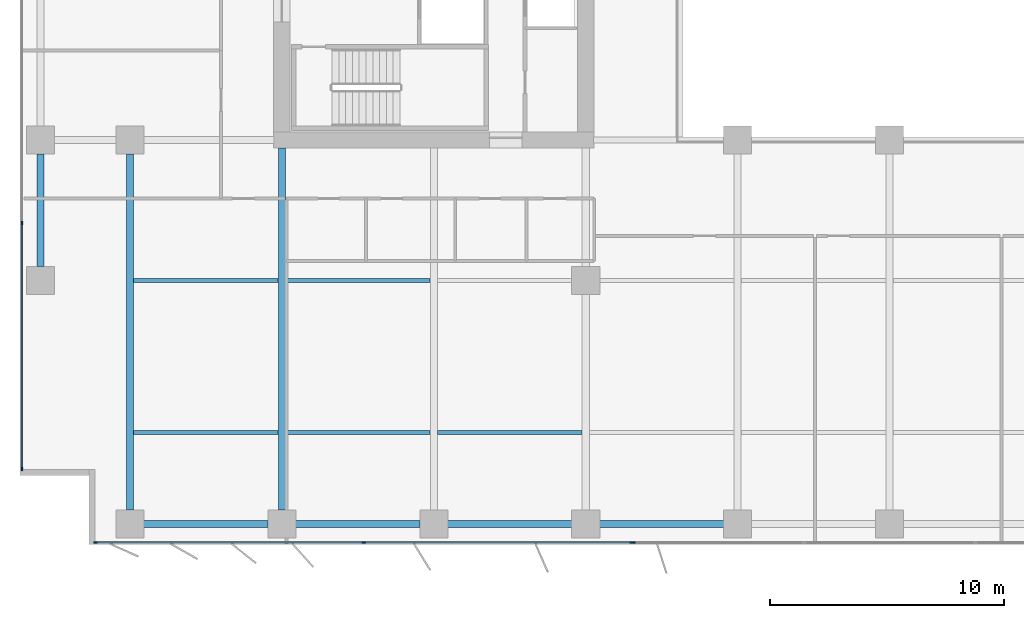
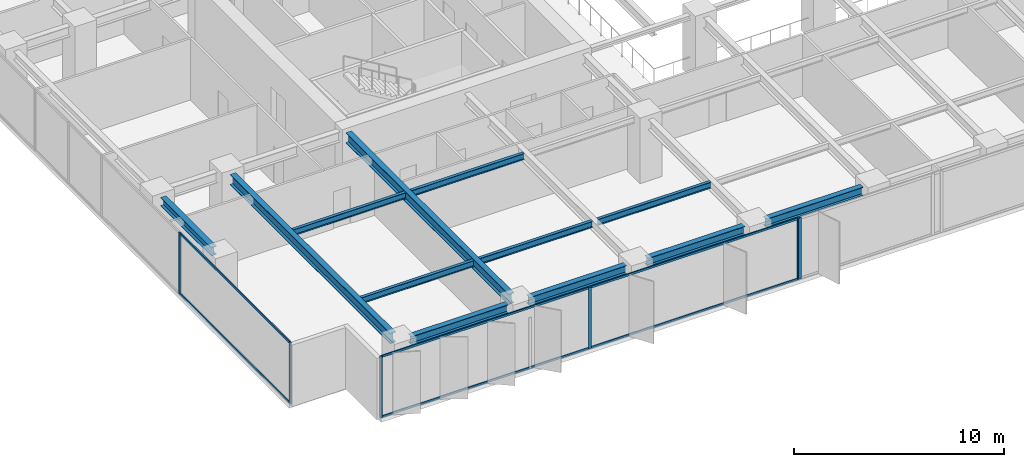
# One storey, part 2 of 20: 12 beams, 12 members, 3 elements without a shape of their own.
"""IFC4 building model written with IfcOpenShell, lengths in metres."""

import ifcopenshell
import ifcopenshell.guid

model = None  # the IFC model being written
_history = None  # IfcOwnerHistory: only IFC2X3 demands one
_inside = {}  # id of a spatial element -> (the spatial element, [elements in it])
_under = {}  # id of a project, library or spatial element -> (it, [spatial elements below it])
_declared = {}  # id of a project -> (the project, [libraries it declares])
_typed = {}  # id of a type object -> (the type object, [elements of that type])
_made_of = {}  # id of a material, layer set ... -> (it, [elements and type objects made of it])


def new_model(schema):
    """Start an empty IFC model of exactly this schema.

    Asked for "IFC4X3", IfcOpenShell would pick the latest addendum, in which some entities
    have other attributes; the version numbers below select the first issue.
    IFC2X3 requires an IfcOwnerHistory on every rooted entity: one is made here for all.
    """
    global model, _history
    if schema == "IFC4X3":
        model = ifcopenshell.file(schema_version=(4, 3, 0, 0))
    else:
        model = ifcopenshell.file(schema=schema)
    _inside.clear()
    _under.clear()
    _declared.clear()
    _typed.clear()
    _made_of.clear()
    _history = None
    if model.schema == "IFC2X3":
        org = make("IfcOrganization", Name="unknown")
        user = make(
            "IfcPersonAndOrganization",
            ThePerson=make("IfcPerson", FamilyName="unknown"),
            TheOrganization=org,
        )
        app = make(
            "IfcApplication",
            ApplicationDeveloper=org,
            Version="unknown",
            ApplicationFullName="unknown",
            ApplicationIdentifier="unknown",
        )
        _history = make(
            "IfcOwnerHistory",
            OwningUser=user,
            OwningApplication=app,
            ChangeAction="ADDED",
            CreationDate=0,
        )
    return model


def make(cls, **values):
    """One entity of the class cls with the attributes given. An attribute that is None is left unset."""
    return model.create_entity(
        cls, **{name: value for name, value in values.items() if value is not None}
    )


def rooted(cls, **values):
    """An entity with a GlobalId (a new one), such as an element, a storey or a relation."""
    return make(cls, GlobalId=ifcopenshell.guid.new(), OwnerHistory=_history, **values)


def si_unit(unit_type, name, prefix=None):
    """IfcSIUnit, for example si_unit("LENGTHUNIT", "METRE", prefix="MILLI")."""
    return make("IfcSIUnit", UnitType=unit_type, Prefix=prefix, Name=name)


def assignment(units):
    """IfcUnitAssignment: the units of a project."""
    return None if units is None else make("IfcUnitAssignment", Units=units)


def point(xyz):
    """IfcCartesianPoint."""
    return None if xyz is None else make("IfcCartesianPoint", Coordinates=xyz)


def direction(xyz):
    """IfcDirection."""
    return None if xyz is None else make("IfcDirection", DirectionRatios=xyz)


def frame(location, z_axis=None, x_axis=None):
    """IfcAxis2Placement3D, a coordinate frame: its origin and axes. An axis left out is left unset."""
    return make(
        "IfcAxis2Placement3D",
        Location=point(location),
        Axis=direction(z_axis),
        RefDirection=direction(x_axis),
    )


def frame_2d(location, x_axis=None):
    """IfcAxis2Placement2D, a coordinate frame in the plane: its origin and x axis."""
    return make(
        "IfcAxis2Placement2D", Location=point(location), RefDirection=direction(x_axis)
    )


def origin():
    """The frame at (0, 0, 0) with its axes left unset."""
    return frame((0.0, 0.0, 0.0))


def origin_2d():
    """The frame at (0, 0) in the plane with its x axis left unset."""
    return frame_2d((0.0, 0.0))


def place(relative_to, where):
    """IfcLocalPlacement: puts the frame where relative to a parent placement (None: the world)."""
    return make(
        "IfcLocalPlacement", PlacementRelTo=relative_to, RelativePlacement=where
    )


def context(
    kind, dimensions, precision=None, world=None, true_north=None, identifier=None
):
    """IfcGeometricRepresentationContext, for example the 3D "Model" context."""
    return make(
        "IfcGeometricRepresentationContext",
        ContextIdentifier=identifier,
        ContextType=kind,
        CoordinateSpaceDimension=dimensions,
        Precision=precision,
        WorldCoordinateSystem=world,
        TrueNorth=true_north,
    )


def subcontext(parent, identifier, kind, view, scale=None):
    """IfcGeometricRepresentationSubContext, for example "Body" below "Model"."""
    return make(
        "IfcGeometricRepresentationSubContext",
        ContextIdentifier=identifier,
        ContextType=kind,
        ParentContext=parent,
        TargetScale=scale,
        TargetView=view,
    )


def project(units=None, contexts=None):
    """IfcProject with its units and contexts."""
    return rooted(
        "IfcProject",
        Name="project",
        RepresentationContexts=contexts,
        UnitsInContext=assignment(units),
    )


def spatial(cls, under=None, at=None, **own):
    """A site, building, storey or space (cls), placed at a placement, below another one or the project."""
    s = rooted(cls, ObjectPlacement=at, **own)
    if under is not None:
        _under.setdefault(under.id(), (under, []))[1].append(s)
    return s


def profile(cls, at=None, kind="AREA", **sizes):
    """A parametric profile (cls). Its sizes go by their IFC names, for example OverallWidth=200.0."""
    return make(cls, ProfileType=kind, Position=at, **sizes)


def rectangle(**sizes):
    """IfcRectangleProfileDef."""
    return profile("IfcRectangleProfileDef", **sizes)


def i_section(**sizes):
    """IfcIShapeProfileDef."""
    return profile("IfcIShapeProfileDef", **sizes)


def extrude(swept, where, along, depth):
    """IfcExtrudedAreaSolid: the profile swept, set in the frame where, extruded along a direction by depth."""
    return make(
        "IfcExtrudedAreaSolid",
        SweptArea=swept,
        Position=where,
        ExtrudedDirection=direction(along),
        Depth=depth,
    )


def shape(context_of_items, identifier, shape_type, items):
    """IfcShapeRepresentation: the items that make up one representation, for example the "Body"."""
    return make(
        "IfcShapeRepresentation",
        ContextOfItems=context_of_items,
        RepresentationIdentifier=identifier,
        RepresentationType=shape_type,
        Items=items,
    )


def material(Name=None, Category=None):
    """IfcMaterial."""
    return make("IfcMaterial", Name=Name, Category=Category)


def layer(
    of_material, thickness, ventilated=None, Name=None, Category=None, Priority=None
):
    """IfcMaterialLayer: one layer of a wall or slab, of a material (None: an air gap)."""
    return make(
        "IfcMaterialLayer",
        Material=of_material,
        LayerThickness=thickness,
        IsVentilated=ventilated,
        Name=Name,
        Category=Category,
        Priority=Priority,
    )


def layer_set(layers, Name=None):
    """IfcMaterialLayerSet."""
    return make("IfcMaterialLayerSet", MaterialLayers=layers, LayerSetName=Name)


def material_profile(
    of_material, cross_section, Name=None, Category=None, Priority=None
):
    """IfcMaterialProfile: a cross section and its material."""
    return make(
        "IfcMaterialProfile",
        Name=Name,
        Material=of_material,
        Profile=cross_section,
        Priority=Priority,
        Category=Category,
    )


def profile_set(profiles, Name=None, composite=None):
    """IfcMaterialProfileSet."""
    return make(
        "IfcMaterialProfileSet",
        Name=Name,
        MaterialProfiles=profiles,
        CompositeProfile=composite,
    )


def made_of(thing, what):
    """Note that an element or type object is made of a material, layer set ...; save() writes the relation."""
    if what is not None:
        _made_of.setdefault(what.id(), (what, []))[1].append(thing)
    return thing


def type_object(cls, material=None, **own):
    """A type object (cls), such as IfcWallType, which elements share."""
    return made_of(rooted(cls, **own), material)


def element(
    cls,
    number,
    at=None,
    inside=None,
    cuts=None,
    type_object=None,
    material=None,
    context=None,
    identifier="Body",
    shape_type=None,
    held_by="IfcProductDefinitionShape",
    body=None,
    shapes=None,
    **own,
):
    """One element of the class cls, such as IfcWall. Its Tag is "e" and its number.

    at: its placement. inside: the storey or other place that contains it. cuts: it is an
    opening in that element (IfcRelVoidsElement). A single representation is given by context,
    identifier, shape_type and body (its items); several are given by shapes. held_by: the class
    of the entity that holds the representations. save() writes the other relations.
    """
    e = rooted(cls, Tag="e%d" % number, ObjectPlacement=at, **own)
    if body is not None:
        shapes = [shape(context, identifier, shape_type, body)]
    if shapes is not None:
        e.Representation = make(held_by, Representations=shapes)
    if inside is not None:
        _inside.setdefault(inside.id(), (inside, []))[1].append(e)
    if cuts is not None:
        rooted(
            "IfcRelVoidsElement", RelatingBuildingElement=cuts, RelatedOpeningElement=e
        )
    if type_object is not None:
        _typed.setdefault(type_object.id(), (type_object, []))[1].append(e)
    return made_of(e, material)


def aggregate(whole, parts):
    """IfcRelAggregates: a whole, such as a stair, and the parts it consists of."""
    return rooted("IfcRelAggregates", RelatingObject=whole, RelatedObjects=parts)


def save(model, path):
    """Write the relations noted so far, then the file.

    IfcRelAggregates (storeys below a building ...), IfcRelContainedInSpatialStructure (elements
    in a storey), IfcRelDefinesByType, IfcRelAssociatesMaterial and IfcRelDeclares: one each for
    every whole, place, type object, material and project.
    """
    for whole, parts in _under.values():
        aggregate(whole, parts)
    for where, things in _inside.values():
        rooted(
            "IfcRelContainedInSpatialStructure",
            RelatedElements=things,
            RelatingStructure=where,
        )
    for kind, things in _typed.values():
        rooted("IfcRelDefinesByType", RelatedObjects=things, RelatingType=kind)
    for what, things in _made_of.values():
        rooted("IfcRelAssociatesMaterial", RelatedObjects=things, RelatingMaterial=what)
    for by, libraries in _declared.values():
        rooted("IfcRelDeclares", RelatingContext=by, RelatedDefinitions=libraries)
    model.write(path)


model = new_model("IFC4")

# Units and contexts
model_context = context("Model", 3, precision=1e-05, world=origin(), true_north=direction((0.0, 1.0)))
body_context = subcontext(model_context, "Body", "Model", "MODEL_VIEW")
ifc_project = project(units=[si_unit("LENGTHUNIT", "METRE"), si_unit("AREAUNIT", "SQUARE_METRE"), si_unit("VOLUMEUNIT", "CUBIC_METRE"), si_unit("PLANEANGLEUNIT", "RADIAN"), si_unit("MASSUNIT", "GRAM", prefix="KILO")], contexts=[model_context])

# Site, building, storey
site_placement = place(None, origin())
site = spatial("IfcSite", under=ifc_project, at=site_placement, CompositionType="ELEMENT")
building_placement = place(site_placement, origin())
building = spatial("IfcBuilding", under=site, at=building_placement, Name="Putna Gate Headquarters", CompositionType="ELEMENT")
storey_placement = place(building_placement, frame((0.0, 0.0, 124.0)))
storey = spatial("IfcBuildingStorey", under=building, at=storey_placement, Name="L30", CompositionType="ELEMENT", Elevation=124.0)

# Beams
ifc_material_1 = material(Name="Steel S355J2", Category="steel")
ifc_material_profile_1 = material_profile(ifc_material_1, i_section(OverallWidth=0.300048828125, OverallDepth=0.60009765625, WebThickness=0.015380859375, FlangeThickness=0.030029296875, at=origin_2d()), Name="Steel S355J2")
ifc_profile_set_1 = profile_set([ifc_material_profile_1], Name="Steel S355J2")
beam_type_1 = type_object("IfcBeamType", Name="BM-GIRD-Z2-HEB600", PredefinedType="USERDEFINED", material=ifc_profile_set_1)
beam_1_placement = place(storey_placement, frame((6.5, 3.16796875, 3.264892578125), z_axis=(0.0, 1.0, 0.0), x_axis=(-1.0, 0.0, 0.0)))
element("IfcBeam", 1, at=beam_1_placement, inside=storey, type_object=beam_type_1, Name="L30 South Primary Girder X6", ObjectType="GIRDER", PredefinedType="USERDEFINED", context=body_context, shape_type="SweptSolid", body=[
    extrude(i_section(OverallWidth=0.300048828125, OverallDepth=0.60009765625, WebThickness=0.015380859375, FlangeThickness=0.030029296875, at=origin_2d()), origin(), (0.0, 0.0, 1.0), 15.244140625),
])
beam_2_placement = place(storey_placement, frame((13.0, 3.16796875, 3.264892578125), z_axis=(0.0, 1.0, 0.0), x_axis=(-1.0, 0.0, 0.0)))
element("IfcBeam", 2, at=beam_2_placement, inside=storey, type_object=beam_type_1, Name="L30 South Primary Girder X13", ObjectType="GIRDER", PredefinedType="USERDEFINED", context=body_context, shape_type="SweptSolid", body=[
    extrude(i_section(OverallWidth=0.300048828125, OverallDepth=0.60009765625, WebThickness=0.015380859375, FlangeThickness=0.030029296875, at=origin_2d()), origin(), (0.0, 0.0, 1.0), 15.4970703125),
])
ifc_material_profile_2 = material_profile(ifc_material_1, i_section(OverallWidth=0.169921875, OverallDepth=0.360107421875, WebThickness=0.008056640625, FlangeThickness=0.0126953125, at=origin_2d()), Name="Steel S355J2")
ifc_profile_set_2 = profile_set([ifc_material_profile_2], Name="Steel S355J2")
beam_type_2 = type_object("IfcBeamType", Name="BM-SEC-Z2-IPE360", PredefinedType="BEAM", material=ifc_profile_set_2)
for number, where, z_axis, x_axis, name in (
    (3, (6.654052734375, 6.5, 3.385009765625), (1.0, 0.0, 0.0), (0.0, 1.0, 0.0), "L30 South Secondary Beam 1"),
    (4, (6.654052734375, 13.0, 3.385009765625), (1.0, 0.0, 0.0), (0.0, 1.0, 0.0), "L30 South Secondary Beam 1"),
    (5, (13.154052734375, 6.5, 3.385009765625), (1.0, 0.0, 0.0), (0.0, 1.0, 0.0), "L30 South Secondary Beam 2"),
    (6, (13.154052734375, 13.0, 3.385009765625), (1.0, 0.0, 0.0), (0.0, 1.0, 0.0), "L30 South Secondary Beam 2"),
    (7, (19.654052734375, 6.5, 3.385009765625), (1.0, 0.0, 0.0), (0.0, 1.0, 0.0), "L30 South Secondary Beam 3"),
):
    element("IfcBeam", number, at=place(storey_placement, frame(where, z_axis=z_axis, x_axis=x_axis)), inside=storey, type_object=beam_type_2, Name=name, PredefinedType="BEAM", context=body_context, shape_type="SweptSolid", body=[
        extrude(i_section(OverallWidth=0.169921875, OverallDepth=0.360107421875, WebThickness=0.008056640625, FlangeThickness=0.0126953125, at=origin_2d()), origin(), (0.0, 0.0, 1.0), 6.19189453125),
    ])
ifc_material_profile_3 = material_profile(ifc_material_1, i_section(OverallWidth=0.300048828125, OverallDepth=0.489990234375, WebThickness=0.011962890625, FlangeThickness=0.02294921875, at=origin_2d()), Name="Steel S355J2")
ifc_profile_set_3 = profile_set([ifc_material_profile_3], Name="Steel S355J2")
beam_type_3 = type_object("IfcBeamType", Name="BM-SPAN-Z2-HEA500", PredefinedType="SPANDREL", material=ifc_profile_set_3)
for number, where, z_axis, x_axis, name in (
    (8, (7.087890625, 2.580078125, 3.320068359375), (1.0, 0.0, 0.0), (0.0, 1.0, 0.0), "L30 S Perimeter Spandrel 1"),
    (9, (13.587890625, 2.580078125, 3.320068359375), (1.0, 0.0, 0.0), (0.0, 1.0, 0.0), "L30 S Perimeter Spandrel 2"),
    (10, (20.087890625, 2.580078125, 3.320068359375), (1.0, 0.0, 0.0), (0.0, 1.0, 0.0), "L30 S Perimeter Spandrel 3"),
    (11, (26.587890625, 2.580078125, 3.320068359375), (1.0, 0.0, 0.0), (0.0, 1.0, 0.0), "L30 S Perimeter Spandrel 4"),
):
    element("IfcBeam", number, at=place(storey_placement, frame(where, z_axis=z_axis, x_axis=x_axis)), inside=storey, type_object=beam_type_3, Name=name, PredefinedType="SPANDREL", context=body_context, shape_type="SweptSolid", body=[
        extrude(i_section(OverallWidth=0.300048828125, OverallDepth=0.489990234375, WebThickness=0.011962890625, FlangeThickness=0.02294921875, at=origin_2d()), origin(), (0.0, 0.0, 1.0), 5.32421875),
    ])
beam_3_placement = place(storey_placement, frame((2.679931640625, 13.587890625, 3.320068359375), z_axis=(0.0, 1.0, 0.0), x_axis=(-1.0, 0.0, 0.0)))
element("IfcBeam", 12, at=beam_3_placement, inside=storey, type_object=beam_type_3, Name="L30 W End Spandrel 1", PredefinedType="SPANDREL", context=body_context, shape_type="SweptSolid", body=[
    extrude(i_section(OverallWidth=0.300048828125, OverallDepth=0.489990234375, WebThickness=0.011962890625, FlangeThickness=0.02294921875, at=origin_2d()), origin(), (0.0, 0.0, 1.0), 4.82421875),
])

# Curtain wall, members
ifc_material_2 = material(Name="Anodised bronze aluminium curtain wall", Category="aluminium")
ifc_layer_1 = layer(ifc_material_2, 0.159912109375)
ifc_layer_set_1 = layer_set([ifc_layer_1], Name="Anodised bronze aluminium curtain wall")
curtain_wall_type_1 = type_object("IfcCurtainWallType", Name="CW-SYS-Z2", PredefinedType="USERDEFINED", material=ifc_layer_set_1)
curtain_wall_1_placement = place(storey_placement, origin())
curtain_wall_1 = element("IfcCurtainWall", 13, at=curtain_wall_1_placement, inside=storey, type_object=curtain_wall_type_1, Name="L30 South West Curtain Wall", ObjectType="STICK CURTAIN WALL", PredefinedType="USERDEFINED")
ifc_material_3 = material(Name="Anodised bronze aluminium EN AW-6060", Category="aluminium")
ifc_material_profile_4 = material_profile(ifc_material_3, rectangle(XDim=0.06494140625, YDim=0.159912109375, at=origin_2d()), Name="Anodised bronze aluminium EN AW-6060")
ifc_profile_set_4 = profile_set([ifc_material_profile_4], Name="Anodised bronze aluminium EN AW-6060")
member_type_1 = type_object("IfcMemberType", Name="MULL-CWM-2", PredefinedType="MULLION", material=ifc_profile_set_4)
member_1_placement = place(storey_placement, frame((5.032470703125, 1.780029296875, 0.0), z_axis=(0.0, 0.0, 1.0), x_axis=(0.0, 1.0, 0.0)))
member_1 = element("IfcMember", 14, at=member_1_placement, type_object=member_type_1, Name="CWS-2 mullion 1", PredefinedType="MULLION", context=body_context, shape_type="SweptSolid", body=[
    extrude(rectangle(XDim=0.06494140625, YDim=0.159912109375, at=origin_2d()), origin(), (0.0, 0.0, 1.0), 3.56494140625),
])
member_2_placement = place(storey_placement, frame((16.5, 1.780029296875, 0.0), z_axis=(0.0, 0.0, 1.0), x_axis=(0.0, 1.0, 0.0)))
member_2 = element("IfcMember", 15, at=member_2_placement, type_object=member_type_1, Name="CWS-2 mullion 2", PredefinedType="MULLION", context=body_context, shape_type="SweptSolid", body=[
    extrude(rectangle(XDim=0.06494140625, YDim=0.159912109375, at=origin_2d()), origin(), (0.0, 0.0, 1.0), 3.56494140625),
])
member_3_placement = place(storey_placement, frame((27.967529296875, 1.780029296875, 0.0), z_axis=(0.0, 0.0, 1.0), x_axis=(0.0, 1.0, 0.0)))
member_3 = element("IfcMember", 16, at=member_3_placement, type_object=member_type_1, Name="CWS-2 mullion 3", PredefinedType="MULLION", context=body_context, shape_type="SweptSolid", body=[
    extrude(rectangle(XDim=0.06494140625, YDim=0.159912109375, at=origin_2d()), origin(), (0.0, 0.0, 1.0), 3.56494140625),
])

curtain_wall_2_placement = place(storey_placement, origin())
curtain_wall_2 = element("IfcCurtainWall", 17, at=curtain_wall_2_placement, inside=storey, type_object=curtain_wall_type_1, Name="L30 West Curtain Wall", ObjectType="STICK CURTAIN WALL", PredefinedType="USERDEFINED")
member_4_placement = place(storey_placement, frame((1.8798828125, 4.9326171875, 0.0), z_axis=(0.0, 0.0, 1.0), x_axis=(-1.0, 0.0, 0.0)))
member_4 = element("IfcMember", 18, at=member_4_placement, type_object=member_type_1, Name="CWS-2 mullion 1", PredefinedType="MULLION", context=body_context, shape_type="SweptSolid", body=[
    extrude(rectangle(XDim=0.06494140625, YDim=0.159912109375, at=origin_2d()), origin(), (0.0, 0.0, 1.0), 3.56494140625),
])
member_5_placement = place(storey_placement, frame((1.8798828125, 15.449951171875, 0.0), z_axis=(0.0, 0.0, 1.0), x_axis=(-1.0, 0.0, 0.0)))
member_5 = element("IfcMember", 19, at=member_5_placement, type_object=member_type_1, Name="CWS-2 mullion 2", PredefinedType="MULLION", context=body_context, shape_type="SweptSolid", body=[
    extrude(rectangle(XDim=0.06494140625, YDim=0.159912109375, at=origin_2d()), origin(), (0.0, 0.0, 1.0), 3.56494140625),
])

# Curtain wall, member
ifc_layer_2 = layer(ifc_material_2, 0.179931640625)
ifc_layer_set_2 = layer_set([ifc_layer_2], Name="Anodised bronze aluminium curtain wall")
curtain_wall_type_2 = type_object("IfcCurtainWallType", Name="CW-SYS-ATR", PredefinedType="USERDEFINED", material=ifc_layer_set_2)
curtain_wall_3_placement = place(storey_placement, origin())
curtain_wall_3 = element("IfcCurtainWall", 20, at=curtain_wall_3_placement, inside=storey, type_object=curtain_wall_type_2, Name="L30 South Atrium Clear Glazing", ObjectType="ATRIUM GLAZING", PredefinedType="USERDEFINED")
ifc_material_profile_5 = material_profile(ifc_material_3, rectangle(XDim=0.070068359375, YDim=0.179931640625, at=origin_2d()), Name="Anodised bronze aluminium EN AW-6060")
ifc_profile_set_5 = profile_set([ifc_material_profile_5], Name="Anodised bronze aluminium EN AW-6060")
member_type_2 = type_object("IfcMemberType", Name="MULL-CWM-AT", PredefinedType="MULLION", material=ifc_profile_set_5)
member_6_placement = place(storey_placement, frame((28.034912109375, 1.780029296875, 0.0), z_axis=(0.0, 0.0, 1.0), x_axis=(0.0, 1.0, 0.0)))
member_6 = element("IfcMember", 21, at=member_6_placement, type_object=member_type_2, Name="CWS-AT mullion 1", PredefinedType="MULLION", context=body_context, shape_type="SweptSolid", body=[
    extrude(rectangle(XDim=0.070068359375, YDim=0.179931640625, at=origin_2d()), origin(), (0.0, 0.0, 1.0), 3.56494140625),
])
aggregate(curtain_wall_3, [member_6])

# Member
ifc_material_profile_6 = material_profile(ifc_material_3, rectangle(XDim=0.06494140625, YDim=0.1201171875, at=origin_2d()), Name="Anodised bronze aluminium EN AW-6060")
ifc_profile_set_6 = profile_set([ifc_material_profile_6], Name="Anodised bronze aluminium EN AW-6060")
member_type_3 = type_object("IfcMemberType", Name="TRAN-CWT-2", PredefinedType="USERDEFINED", material=ifc_profile_set_6)
member_7_placement = place(storey_placement, frame((5.06494140625, 1.780029296875, 0.032470703125), z_axis=(1.0, 0.0, 0.0), x_axis=(0.0, 1.0, 0.0)))
member_7 = element("IfcMember", 22, at=member_7_placement, type_object=member_type_3, Name="CWS-2 transom 1.1", ObjectType="TRANSOM", PredefinedType="USERDEFINED", context=body_context, shape_type="SweptSolid", body=[
    extrude(rectangle(XDim=0.06494140625, YDim=0.1201171875, at=origin_2d()), origin(), (0.0, 0.0, 1.0), 11.402587890625),
])

member_8_placement = place(storey_placement, frame((5.06494140625, 1.780029296875, 3.532470703125), z_axis=(1.0, 0.0, 0.0), x_axis=(0.0, 1.0, 0.0)))
member_8 = element("IfcMember", 23, at=member_8_placement, type_object=member_type_3, Name="CWS-2 transom 1.2", ObjectType="TRANSOM", PredefinedType="USERDEFINED", context=body_context, shape_type="SweptSolid", body=[
    extrude(rectangle(XDim=0.06494140625, YDim=0.1201171875, at=origin_2d()), origin(), (0.0, 0.0, 1.0), 11.402587890625),
])

member_9_placement = place(storey_placement, frame((16.532470703125, 1.780029296875, 0.032470703125), z_axis=(1.0, 0.0, 0.0), x_axis=(0.0, 1.0, 0.0)))
member_9 = element("IfcMember", 24, at=member_9_placement, type_object=member_type_3, Name="CWS-2 transom 2.1", ObjectType="TRANSOM", PredefinedType="USERDEFINED", context=body_context, shape_type="SweptSolid", body=[
    extrude(rectangle(XDim=0.06494140625, YDim=0.1201171875, at=origin_2d()), origin(), (0.0, 0.0, 1.0), 11.402587890625),
])

member_10_placement = place(storey_placement, frame((16.532470703125, 1.780029296875, 3.532470703125), z_axis=(1.0, 0.0, 0.0), x_axis=(0.0, 1.0, 0.0)))
member_10 = element("IfcMember", 25, at=member_10_placement, type_object=member_type_3, Name="CWS-2 transom 2.2", ObjectType="TRANSOM", PredefinedType="USERDEFINED", context=body_context, shape_type="SweptSolid", body=[
    extrude(rectangle(XDim=0.06494140625, YDim=0.1201171875, at=origin_2d()), origin(), (0.0, 0.0, 1.0), 11.402587890625),
])

aggregate(curtain_wall_1, [member_1, member_2, member_3, member_7, member_8, member_9, member_10])

member_11_placement = place(storey_placement, frame((1.8798828125, 4.965087890625, 0.032470703125), z_axis=(0.0, 1.0, 0.0), x_axis=(-1.0, 0.0, 0.0)))
member_11 = element("IfcMember", 26, at=member_11_placement, type_object=member_type_3, Name="CWS-2 transom 1.1", ObjectType="TRANSOM", PredefinedType="USERDEFINED", context=body_context, shape_type="SweptSolid", body=[
    extrude(rectangle(XDim=0.06494140625, YDim=0.1201171875, at=origin_2d()), origin(), (0.0, 0.0, 1.0), 10.452392578125),
])

member_12_placement = place(storey_placement, frame((1.8798828125, 4.965087890625, 3.532470703125), z_axis=(0.0, 1.0, 0.0), x_axis=(-1.0, 0.0, 0.0)))
member_12 = element("IfcMember", 27, at=member_12_placement, type_object=member_type_3, Name="CWS-2 transom 1.2", ObjectType="TRANSOM", PredefinedType="USERDEFINED", context=body_context, shape_type="SweptSolid", body=[
    extrude(rectangle(XDim=0.06494140625, YDim=0.1201171875, at=origin_2d()), origin(), (0.0, 0.0, 1.0), 10.452392578125),
])

aggregate(curtain_wall_2, [member_4, member_5, member_11, member_12])

save(model, "model.ifc")
